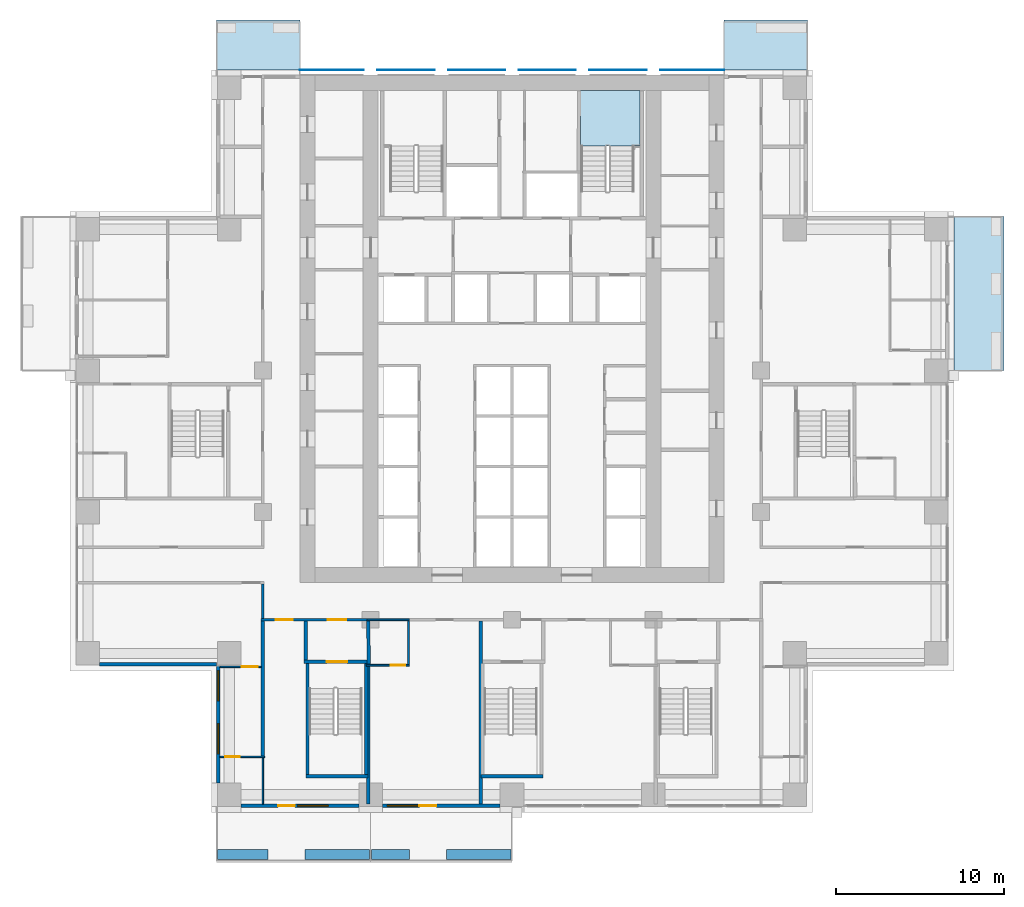
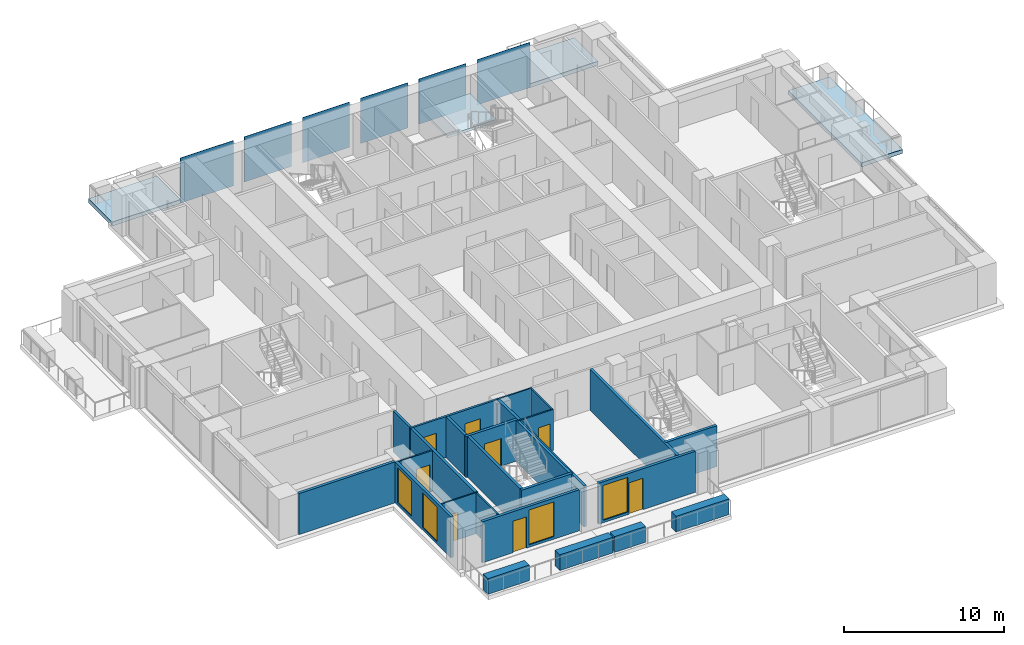
# One storey, part 6 of 16: 26 walls, 8 doors, 6 plates, 4 slabs, 4 windows, 12 openings, 1 element without a shape of its own.
"""IFC4 building model written with IfcOpenShell, lengths in metres."""

from ifc_helpers import new_model, si_unit, direction, frame, frame_2d, origin, origin_2d, place, context, subcontext, project, spatial, polyline, rectangle, outline, extrude, material, layer, layer_set, type_object, element, fill, aggregate, save


model = new_model("IFC4")

# Units and contexts
model_context = context("Model", 3, precision=1e-05, world=origin(), true_north=direction((0.0, 1.0)))
body_context = subcontext(model_context, "Body", "Model", "MODEL_VIEW")
ifc_project = project(units=[si_unit("LENGTHUNIT", "METRE"), si_unit("AREAUNIT", "SQUARE_METRE"), si_unit("VOLUMEUNIT", "CUBIC_METRE"), si_unit("PLANEANGLEUNIT", "RADIAN"), si_unit("MASSUNIT", "GRAM", prefix="KILO")], contexts=[model_context])

# Site, building, storey
site_placement = place(None, origin())
site = spatial("IfcSite", under=ifc_project, at=site_placement, CompositionType="ELEMENT")
building_placement = place(site_placement, origin())
building = spatial("IfcBuilding", under=site, at=building_placement, Name="Vermilion Ogive Tower", CompositionType="ELEMENT")
storey_placement = place(building_placement, frame((0.0, 0.0, 44.85009765625)))
storey = spatial("IfcBuildingStorey", under=building, at=storey_placement, Name="L09", CompositionType="ELEMENT", Elevation=44.85009765625)

# Slabs
ifc_material_1 = material(Name="Concrete B40", Category="concrete")
ifc_layer_1 = layer(ifc_material_1, 0.300048828125)
ifc_layer_set_1 = layer_set([ifc_layer_1], Name="Balcony slab")
slab_type_1 = type_object("IfcSlabType", Name="Balcony slab", PredefinedType="FLOOR", material=ifc_layer_set_1)
slab_1_placement = place(storey_placement, frame((0.0, 0.0, -0.340087890625)))
element("IfcSlab", 1, at=slab_1_placement, inside=storey, type_object=slab_type_1, Name="Balcony slab E03", PredefinedType="FLOOR", context=body_context, shape_type="SweptSolid", body=[
    extrude(outline(polyline([(29.22998046875, 4.199951171875), (29.22998046875, 13.35009765625), (26.25, 13.35009765625), (26.25, 4.199951171875), (29.22998046875, 4.199951171875)])), origin(), (0.0, 0.0, 1.0), 0.300048828125),
])
slab_2_placement = place(storey_placement, frame((0.0, 0.0, -0.340087890625)))
element("IfcSlab", 2, at=slab_2_placement, inside=storey, type_object=slab_type_1, Name="Balcony slab N101", PredefinedType="FLOOR", context=body_context, shape_type="SweptSolid", body=[
    extrude(outline(polyline([(17.550048828125, 25.030029296875), (12.60009765625, 25.030029296875), (12.60009765625, 22.050048828125), (17.550048828125, 22.050048828125), (17.550048828125, 25.030029296875)])), origin(), (0.0, 0.0, 1.0), 0.300048828125),
])
slab_3_placement = place(storey_placement, frame((0.0, 0.0, -0.340087890625)))
element("IfcSlab", 3, at=slab_3_placement, inside=storey, type_object=slab_type_1, Name="Balcony slab N201", PredefinedType="FLOOR", context=body_context, shape_type="SweptSolid", body=[
    extrude(outline(polyline([(-12.60009765625, 25.030029296875), (-17.550048828125, 25.030029296875), (-17.550048828125, 22.050048828125), (-12.60009765625, 22.050048828125), (-12.60009765625, 25.030029296875)])), origin(), (0.0, 0.0, 1.0), 0.300048828125),
])

# Plates
ifc_material_2 = material(Name="Low-iron laminated glazing in aluminium frame", Category="aluminium")
ifc_layer_2 = layer(ifc_material_2, 0.031982421875)
ifc_layer_set_2 = layer_set([ifc_layer_2], Name="Glazed rainscreen sheet 32")
plate_type = type_object("IfcPlateType", Name="Glazed rainscreen sheet 32", PredefinedType="SHEET", material=ifc_layer_set_2)
plate_1_placement = place(storey_placement, frame((-10.7099609375, 22.06591796875, -0.3203125), z_axis=(0.0, 0.0, 1.0), x_axis=(1.0, 0.0, 0.0)))
element("IfcPlate", 4, at=plate_1_placement, inside=storey, type_object=plate_type, Name="Glazed rainscreen sheet N1", PredefinedType="SHEET", context=body_context, shape_type="SweptSolid", body=[
    extrude(rectangle(XDim=3.820068359375, YDim=0.031982421875, at=origin_2d()), origin(), (0.0, 0.0, 1.0), 3.449951171875),
])
for number, where, z_axis, x_axis, name in (
    (5, (-6.300048828125, 22.06591796875, -0.3203125), (0.0, 0.0, 1.0), (1.0, 0.0, 0.0), "Glazed rainscreen sheet N2"),
    (6, (-2.10009765625, 22.06591796875, -0.3203125), (0.0, 0.0, 1.0), (1.0, 0.0, 0.0), "Glazed rainscreen sheet N3"),
    (7, (2.10009765625, 22.06591796875, -0.3203125), (0.0, 0.0, 1.0), (1.0, 0.0, 0.0), "Glazed rainscreen sheet N4"),
    (8, (6.300048828125, 22.06591796875, -0.3203125), (0.0, 0.0, 1.0), (1.0, 0.0, 0.0), "Glazed rainscreen sheet N5"),
):
    element("IfcPlate", number, at=place(storey_placement, frame(where, z_axis=z_axis, x_axis=x_axis)), inside=storey, type_object=plate_type, Name=name, PredefinedType="SHEET", context=body_context, shape_type="SweptSolid", body=[
        extrude(rectangle(XDim=3.39990234375, YDim=0.031982421875, at=origin_2d()), origin(), (0.0, 0.0, 1.0), 3.449951171875),
    ])
plate_2_placement = place(storey_placement, frame((10.7099609375, 22.06591796875, -0.3203125), z_axis=(0.0, 0.0, 1.0), x_axis=(1.0, 0.0, 0.0)))
element("IfcPlate", 9, at=plate_2_placement, inside=storey, type_object=plate_type, Name="Glazed rainscreen sheet N6", PredefinedType="SHEET", context=body_context, shape_type="SweptSolid", body=[
    extrude(rectangle(XDim=3.820068359375, YDim=0.031982421875, at=origin_2d()), origin(), (0.0, 0.0, 1.0), 3.449951171875),
])

# Stair, slab
ifc_material_3 = material(Name="Concrete B40", Category="concrete")
stair_type = type_object("IfcStairType", Name="Exit stair 1500", PredefinedType="HALF_TURN_STAIR", material=ifc_material_3)
stair_placement = place(storey_placement, origin())
stair = element("IfcStair", 10, at=stair_placement, inside=storey, type_object=stair_type, Name="L09 Exit Stair ST2", PredefinedType="HALF_TURN_STAIR")
ifc_material_4 = material(Name="Concrete B40", Category="concrete")
ifc_layer_3 = layer(ifc_material_4, 0.199951171875)
ifc_layer_set_3 = layer_set([ifc_layer_3], Name="Stair landing 200")
slab_type_2 = type_object("IfcSlabType", Name="Stair landing 200", PredefinedType="LANDING", material=ifc_layer_set_3)
slab_4_placement = place(storey_placement, frame((0.0, 0.0, 1.52490234375)))
slab_4 = element("IfcSlab", 11, at=slab_4_placement, type_object=slab_type_2, Name="ST2 landing 1", PredefinedType="LANDING", context=body_context, shape_type="SweptSolid", body=[
    extrude(outline(polyline([(5.60009765625, 17.550048828125), (5.75, 17.550048828125), (5.75, 17.548095703125), (7.25, 17.548095703125), (7.25, 17.550048828125), (7.60009765625, 17.550048828125), (7.60009765625, 20.85009765625), (4.074951171875, 20.85009765625), (4.074951171875, 17.550048828125), (4.10009765625, 17.550048828125), (4.10009765625, 17.548095703125), (5.60009765625, 17.548095703125), (5.60009765625, 17.550048828125)])), origin(), (0.0, 0.0, 1.0), 0.199951171875),
])
aggregate(stair, [slab_4])

# Wall, opening, door
ifc_material_5 = material(Name="Gypsum board partition on steel studs", Category="steel")
ifc_layer_4 = layer(ifc_material_5, 0.10009765625)
ifc_layer_set_4 = layer_set([ifc_layer_4], Name="Partition 100 bath")
wall_type_1 = type_object("IfcWallType", Name="Partition 100 bath", PredefinedType="PARTITIONING", material=ifc_layer_set_4)
wall_1_placement = place(storey_placement, frame((-17.35009765625, -18.75, 0.0), z_axis=(0.0, 0.0, 1.0), x_axis=(1.0, 0.0, 0.0)))
wall_1 = element("IfcWall", 12, at=wall_1_placement, inside=storey, type_object=wall_type_1, Name="L09-W-W004", PredefinedType="PARTITIONING", context=body_context, shape_type="SweptSolid", body=[
    extrude(rectangle(XDim=2.650146484375, YDim=0.10009765625, at=frame_2d((1.3251953125, 0.0))), origin(), (0.0, 0.0, 1.0), 3.1298828125),
])
opening_1_placement = place(wall_1_placement, frame((0.3251953125, 0.0, 0.0)))
opening_1 = element("IfcOpeningElement", 13, at=opening_1_placement, cuts=wall_1, Name="Opening D1G2003", PredefinedType="OPENING", context=body_context, shape_type="SweptSolid", body=[
    extrude(rectangle(XDim=0.85009765625, YDim=2.10009765625, at=frame_2d((0.425048828125, 1.050048828125))), frame((0.0, 0.06005859375, 0.0), z_axis=(0.0, -1.0, 0.0), x_axis=(1.0, 0.0, 0.0)), (0.0, 0.0, 1.0), 0.1201171875),
])
ifc_material_6 = material(Name="Timber door leaf", Category="wood")
door_type_1 = type_object("IfcDoorType", Name="Bath door 850 x 2100 FD30", OperationType="SINGLE_SWING_LEFT", PredefinedType="DOOR", material=ifc_material_6)
door_1_placement = place(opening_1_placement, origin())
door_1 = element("IfcDoor", 14, at=door_1_placement, inside=storey, type_object=door_type_1, Name="L09-D-D003", OperationType="SINGLE_SWING_RIGHT", OverallHeight=2.10009765625, OverallWidth=0.85009765625, PredefinedType="DOOR", context=body_context, shape_type="SweptSolid", body=[
    extrude(rectangle(XDim=0.85009765625, YDim=2.10009765625, at=frame_2d((0.425048828125, 1.050048828125))), frame((0.0, 0.02490234375, 0.0), z_axis=(0.0, -1.0, 0.0), x_axis=(1.0, 0.0, 0.0)), (0.0, 0.0, 1.0), 0.050048828125),
])
fill(opening_1, door_1)

wall_2_placement = place(storey_placement, frame((-8.64990234375, -13.300048828125, 0.0), z_axis=(0.0, 0.0, 1.0), x_axis=(1.0, 0.0, 0.0)))
wall_2 = element("IfcWall", 15, at=wall_2_placement, inside=storey, type_object=wall_type_1, Name="L09-W-W008", PredefinedType="PARTITIONING", context=body_context, shape_type="SweptSolid", body=[
    extrude(rectangle(XDim=2.5498046875, YDim=0.10009765625, at=frame_2d((1.27490234375, 0.0))), origin(), (0.0, 0.0, 1.0), 3.1298828125),
])
opening_2_placement = place(wall_2_placement, frame((1.449951171875, 0.0, 0.0)))
opening_2 = element("IfcOpeningElement", 16, at=opening_2_placement, cuts=wall_2, Name="Opening D1G2012", PredefinedType="OPENING", context=body_context, shape_type="SweptSolid", body=[
    extrude(rectangle(XDim=0.85009765625, YDim=2.10009765625, at=frame_2d((0.425048828125, 1.050048828125))), frame((0.0, 0.06005859375, 0.0), z_axis=(0.0, -1.0, 0.0), x_axis=(1.0, 0.0, 0.0)), (0.0, 0.0, 1.0), 0.1201171875),
])
door_2_placement = place(opening_2_placement, origin())
door_2 = element("IfcDoor", 17, at=door_2_placement, inside=storey, type_object=door_type_1, Name="L09-D-D012", OperationType="SINGLE_SWING_LEFT", OverallHeight=2.10009765625, OverallWidth=0.85009765625, PredefinedType="DOOR", context=body_context, shape_type="SweptSolid", body=[
    extrude(rectangle(XDim=0.85009765625, YDim=2.10009765625, at=frame_2d((0.425048828125, 1.050048828125))), frame((0.0, 0.02490234375, 0.0), z_axis=(0.0, -1.0, 0.0), x_axis=(1.0, 0.0, 0.0)), (0.0, 0.0, 1.0), 0.050048828125),
])
fill(opening_2, door_2)

# Walls
wall_3_placement = place(storey_placement, frame((-8.60009765625, -10.60009765625, 0.0), z_axis=(0.0, 0.0, 1.0), x_axis=(1.0, 0.0, 0.0)))
element("IfcWall", 18, at=wall_3_placement, inside=storey, type_object=wall_type_1, Name="L09-W-W014", PredefinedType="PARTITIONING", context=body_context, shape_type="SweptSolid", body=[
    extrude(rectangle(XDim=2.5, YDim=0.10009765625, at=frame_2d((1.25, 0.0))), origin(), (0.0, 0.0, 1.0), 3.1298828125),
])
wall_4_placement = place(storey_placement, frame((-14.800048828125, -21.550048828125, 0.0), z_axis=(0.0, 0.0, 1.0), x_axis=(0.0, 1.0, 0.0)))
element("IfcWall", 19, at=wall_4_placement, inside=storey, type_object=wall_type_1, Name="L09-W-W045", PredefinedType="PARTITIONING", context=body_context, shape_type="SweptSolid", body=[
    extrude(rectangle(XDim=2.75, YDim=0.10009765625, at=frame_2d((1.375, 0.0))), origin(), (0.0, 0.0, 1.0), 3.1298828125),
])
wall_5_placement = place(storey_placement, frame((-6.14990234375, -13.25, 0.0), z_axis=(0.0, 0.0, 1.0), x_axis=(0.0, 1.0, 0.0)))
element("IfcWall", 20, at=wall_5_placement, inside=storey, type_object=wall_type_1, Name="L09-W-W054", PredefinedType="PARTITIONING", context=body_context, shape_type="SweptSolid", body=[
    extrude(rectangle(XDim=2.574951171875, YDim=0.10009765625, at=frame_2d((1.28759765625, 0.0))), origin(), (0.0, 0.0, 1.0), 3.1298828125),
])

# Wall, opening, door
ifc_material_7 = material(Name="Gypsum board partition on steel studs", Category="steel")
ifc_layer_5 = layer(ifc_material_7, 0.10009765625)
ifc_layer_set_5 = layer_set([ifc_layer_5], Name="Partition 100 inner")
wall_type_2 = type_object("IfcWallType", Name="Partition 100 inner", PredefinedType="PARTITIONING", material=ifc_layer_set_5)
wall_6_placement = place(storey_placement, frame((-17.35009765625, -13.39990234375, 0.0), z_axis=(0.0, 0.0, 1.0), x_axis=(1.0, 0.0, 0.0)))
wall_6 = element("IfcWall", 21, at=wall_6_placement, inside=storey, type_object=wall_type_2, Name="L09-W-W006", PredefinedType="PARTITIONING", context=body_context, shape_type="SweptSolid", body=[
    extrude(rectangle(XDim=2.4501953125, YDim=0.10009765625, at=frame_2d((1.22509765625, 0.0))), origin(), (0.0, 0.0, 1.0), 3.1298828125),
])
opening_3_placement = place(wall_6_placement, frame((1.300048828125, 0.0, 0.0)))
opening_3 = element("IfcOpeningElement", 22, at=opening_3_placement, cuts=wall_6, Name="Opening D1G2002", PredefinedType="OPENING", context=body_context, shape_type="SweptSolid", body=[
    extrude(rectangle(XDim=0.949951171875, YDim=2.10009765625, at=frame_2d((0.47509765625, 1.050048828125))), frame((0.0, 0.06005859375, 0.0), z_axis=(0.0, -1.0, 0.0), x_axis=(1.0, 0.0, 0.0)), (0.0, 0.0, 1.0), 0.1201171875),
])
ifc_material_8 = material(Name="Timber door leaf", Category="wood")
door_type_2 = type_object("IfcDoorType", Name="Inner door 950 x 2100 FD30", OperationType="SINGLE_SWING_LEFT", PredefinedType="DOOR", material=ifc_material_8)
door_3_placement = place(opening_3_placement, origin())
door_3 = element("IfcDoor", 23, at=door_3_placement, inside=storey, type_object=door_type_2, Name="L09-D-D002", OperationType="SINGLE_SWING_RIGHT", OverallHeight=2.10009765625, OverallWidth=0.949951171875, PredefinedType="DOOR", context=body_context, shape_type="SweptSolid", body=[
    extrude(rectangle(XDim=0.949951171875, YDim=2.10009765625, at=frame_2d((0.47509765625, 1.050048828125))), frame((0.0, 0.02490234375, 0.0), z_axis=(0.0, -1.0, 0.0), x_axis=(1.0, 0.0, 0.0)), (0.0, 0.0, 1.0), 0.050048828125),
])
fill(opening_3, door_3)

# Wall, openings, doors
ifc_material_9 = material(Name="Gypsum board partition on steel studs", Category="steel")
ifc_layer_6 = layer(ifc_material_9, 0.14990234375)
ifc_layer_set_6 = layer_set([ifc_layer_6], Name="Partition 150 corridor")
wall_type_3 = type_object("IfcWallType", Name="Partition 150 corridor", PredefinedType="PARTITIONING", material=ifc_layer_set_6)
wall_7_placement = place(storey_placement, frame((-14.89990234375, -10.60009765625, 0.0), z_axis=(0.0, 0.0, 1.0), x_axis=(1.0, 0.0, 0.0)))
wall_7 = element("IfcWall", 24, at=wall_7_placement, inside=storey, type_object=wall_type_3, Name="L09-W-W013", PredefinedType="PARTITIONING", context=body_context, shape_type="SweptSolid", body=[
    extrude(rectangle(XDim=6.39990234375, YDim=0.14990234375, at=frame_2d((3.199951171875, 0.0))), origin(), (0.0, 0.0, 1.0), 3.1298828125),
])
opening_4_placement = place(wall_7_placement, frame((3.949951171875, 0.0, 0.0)))
opening_4 = element("IfcOpeningElement", 25, at=opening_4_placement, cuts=wall_7, Name="Opening D1G2025", PredefinedType="OPENING", context=body_context, shape_type="SweptSolid", body=[
    extrude(rectangle(XDim=1.10009765625, YDim=2.10009765625, at=frame_2d((0.550048828125, 1.050048828125))), frame((0.0, 0.0849609375, 0.0), z_axis=(0.0, -1.0, 0.0), x_axis=(1.0, 0.0, 0.0)), (0.0, 0.0, 1.0), 0.169921875),
])
opening_5_placement = place(wall_7_placement, frame((0.875, 0.0, 0.0)))
opening_5 = element("IfcOpeningElement", 26, at=opening_5_placement, cuts=wall_7, Name="Opening D1G2035", PredefinedType="OPENING", context=body_context, shape_type="SweptSolid", body=[
    extrude(rectangle(XDim=1.0, YDim=2.10009765625, at=frame_2d((0.5, 1.050048828125))), frame((0.0, 0.0849609375, 0.0), z_axis=(0.0, -1.0, 0.0), x_axis=(1.0, 0.0, 0.0)), (0.0, 0.0, 1.0), 0.169921875),
])
ifc_material_10 = material(Name="Timber door leaf", Category="wood")
door_type_3 = type_object("IfcDoorType", Name="Stair door 1100 x 2100 FD60S", OperationType="SINGLE_SWING_LEFT", PredefinedType="DOOR", material=ifc_material_10)
door_4_placement = place(opening_4_placement, origin())
door_4 = element("IfcDoor", 27, at=door_4_placement, inside=storey, type_object=door_type_3, Name="L09-D-D025", OperationType="SINGLE_SWING_RIGHT", OverallHeight=2.10009765625, OverallWidth=1.10009765625, PredefinedType="DOOR", context=body_context, shape_type="SweptSolid", body=[
    extrude(rectangle(XDim=1.10009765625, YDim=2.10009765625, at=frame_2d((0.550048828125, 1.050048828125))), frame((0.0, 0.02490234375, 0.0), z_axis=(0.0, -1.0, 0.0), x_axis=(1.0, 0.0, 0.0)), (0.0, 0.0, 1.0), 0.050048828125),
])
fill(opening_4, door_4)
ifc_material_11 = material(Name="Timber door leaf", Category="wood")
door_type_4 = type_object("IfcDoorType", Name="Unit door 1000 x 2100 FD30S", OperationType="SINGLE_SWING_LEFT", PredefinedType="DOOR", material=ifc_material_11)
door_5_placement = place(opening_5_placement, origin())
door_5 = element("IfcDoor", 28, at=door_5_placement, inside=storey, type_object=door_type_4, Name="L09-D-D035", OperationType="SINGLE_SWING_RIGHT", OverallHeight=2.10009765625, OverallWidth=1.0, PredefinedType="DOOR", context=body_context, shape_type="SweptSolid", body=[
    extrude(rectangle(XDim=1.0, YDim=2.10009765625, at=frame_2d((0.5, 1.050048828125))), frame((0.0, 0.02490234375, 0.0), z_axis=(0.0, -1.0, 0.0), x_axis=(1.0, 0.0, 0.0)), (0.0, 0.0, 1.0), 0.050048828125),
])
fill(opening_5, door_5)

# Walls
wall_8_placement = place(storey_placement, frame((-14.800048828125, -10.52490234375, 0.0), z_axis=(0.0, 0.0, 1.0), x_axis=(0.0, 1.0, 0.0)))
element("IfcWall", 29, at=wall_8_placement, inside=storey, type_object=wall_type_3, Name="L09-W-W047", PredefinedType="PARTITIONING", context=body_context, shape_type="SweptSolid", body=[
    extrude(rectangle(XDim=2.0498046875, YDim=0.14990234375, at=frame_2d((1.02490234375, 0.0))), origin(), (0.0, 0.0, 1.0), 3.1298828125),
])
ifc_material_12 = material(Name="Gypsum board partition on steel studs", Category="steel")
ifc_layer_7 = layer(ifc_material_12, 0.199951171875)
ifc_layer_set_7 = layer_set([ifc_layer_7], Name="Partition 200 party")
wall_type_4 = type_object("IfcWallType", Name="Partition 200 party", PredefinedType="PARTITIONING", material=ifc_layer_set_7)
wall_9_placement = place(storey_placement, frame((-14.800048828125, -18.699951171875, 0.0), z_axis=(0.0, 0.0, 1.0), x_axis=(0.0, 1.0, 0.0)))
element("IfcWall", 30, at=wall_9_placement, inside=storey, type_object=wall_type_4, Name="L09-W-W046", PredefinedType="PARTITIONING", context=body_context, shape_type="SweptSolid", body=[
    extrude(rectangle(XDim=8.02490234375, YDim=0.199951171875, at=frame_2d((4.012451171875, 0.0))), origin(), (0.0, 0.0, 1.0), 3.1298828125),
])
ifc_material_13 = material(Name="Concrete B60", Category="concrete")
ifc_layer_8 = layer(ifc_material_13, 0.199951171875)
ifc_layer_set_8 = layer_set([ifc_layer_8], Name="Stair shaft wall 200 Concrete B60")
wall_type_5 = type_object("IfcWallType", Name="Stair shaft wall 200 Concrete B60", PredefinedType="SOLIDWALL", material=ifc_layer_set_8)
wall_10_placement = place(storey_placement, frame((-12.248046875, -19.89990234375, 0.0), z_axis=(0.0, 0.0, 1.0), x_axis=(1.0, 0.0, 0.0)))
element("IfcWall", 31, at=wall_10_placement, inside=storey, type_object=wall_type_5, Name="L09-W-W001", PredefinedType="SOLIDWALL", context=body_context, shape_type="SweptSolid", body=[
    extrude(rectangle(XDim=3.696044921875, YDim=0.199951171875, at=frame_2d((1.84814453125, 0.0))), origin(), (0.0, 0.0, 1.0), 3.1298828125),
])
wall_11_placement = place(storey_placement, frame((-1.847900390625, -19.89990234375, 0.0), z_axis=(0.0, 0.0, 1.0), x_axis=(1.0, 0.0, 0.0)))
element("IfcWall", 32, at=wall_11_placement, inside=storey, type_object=wall_type_5, Name="L09-W-W002", PredefinedType="SOLIDWALL", context=body_context, shape_type="SweptSolid", body=[
    extrude(rectangle(XDim=3.69580078125, YDim=0.199951171875, at=frame_2d((1.847900390625, 0.0))), origin(), (0.0, 0.0, 1.0), 3.1298828125),
])

# Wall, opening, door
wall_12_placement = place(storey_placement, frame((-12.347900390625, -13.10009765625, 0.0), z_axis=(0.0, 0.0, 1.0), x_axis=(1.0, 0.0, 0.0)))
wall_12 = element("IfcWall", 33, at=wall_12_placement, inside=storey, type_object=wall_type_5, Name="L09-W-W010", PredefinedType="SOLIDWALL", context=body_context, shape_type="SweptSolid", body=[
    extrude(rectangle(XDim=3.745849609375, YDim=0.199951171875, at=frame_2d((1.873046875, 0.0))), origin(), (0.0, 0.0, 1.0), 3.1298828125),
])
opening_6_placement = place(wall_12_placement, frame((1.347900390625, 0.0, 0.0)))
opening_6 = element("IfcOpeningElement", 34, at=opening_6_placement, cuts=wall_12, Name="Opening D1G2026", PredefinedType="OPENING", context=body_context, shape_type="SweptSolid", body=[
    extrude(rectangle(XDim=1.199951171875, YDim=2.10009765625, at=frame_2d((0.60009765625, 1.050048828125))), frame((0.0, 0.10986328125, 0.0), z_axis=(0.0, -1.0, 0.0), x_axis=(1.0, 0.0, 0.0)), (0.0, 0.0, 1.0), 0.219970703125),
])
ifc_material_14 = material(Name="Timber door leaf", Category="wood")
door_type_5 = type_object("IfcDoorType", Name="Stair door 1200 x 2100 FD60S", OperationType="SINGLE_SWING_LEFT", PredefinedType="DOOR", material=ifc_material_14)
door_6_placement = place(opening_6_placement, origin())
door_6 = element("IfcDoor", 35, at=door_6_placement, inside=storey, type_object=door_type_5, Name="L09-D-D026", OperationType="SINGLE_SWING_RIGHT", OverallHeight=2.10009765625, OverallWidth=1.199951171875, PredefinedType="DOOR", context=body_context, shape_type="SweptSolid", body=[
    extrude(rectangle(XDim=1.199951171875, YDim=2.10009765625, at=frame_2d((0.60009765625, 1.050048828125))), frame((0.0, 0.02490234375, 0.0), z_axis=(0.0, -1.0, 0.0), x_axis=(1.0, 0.0, 0.0)), (0.0, 0.0, 1.0), 0.050048828125),
])
fill(opening_6, door_6)

# Walls
wall_13_placement = place(storey_placement, frame((-12.25, -12.998046875, 0.0), z_axis=(0.0, 0.0, 1.0), x_axis=(0.0, 1.0, 0.0)))
element("IfcWall", 36, at=wall_13_placement, inside=storey, type_object=wall_type_5, Name="L09-W-W049", PredefinedType="SOLIDWALL", context=body_context, shape_type="SweptSolid", body=[
    extrude(rectangle(XDim=2.322998046875, YDim=0.199951171875, at=frame_2d((1.16162109375, 0.0))), origin(), (0.0, 0.0, 1.0), 3.1298828125),
])
for number, where, z_axis, x_axis, name in (
    (37, (-12.14990234375, -19.798095703125, 0.0), (0.0, 0.0, 1.0), (0.0, 1.0, 0.0), "L09-W-W050"),
    (38, (-8.64990234375, -19.798095703125, 0.0), (0.0, 0.0, 1.0), (0.0, 1.0, 0.0), "L09-W-W051"),
):
    element("IfcWall", number, at=place(storey_placement, frame(where, z_axis=z_axis, x_axis=x_axis)), inside=storey, type_object=wall_type_5, Name=name, PredefinedType="SOLIDWALL", context=body_context, shape_type="SweptSolid", body=[
        extrude(rectangle(XDim=6.59619140625, YDim=0.199951171875, at=frame_2d((3.298095703125, 0.0))), origin(), (0.0, 0.0, 1.0), 3.1298828125),
    ])
wall_14_placement = place(storey_placement, frame((-8.5, -13.25, 0.0), z_axis=(0.0, 0.0, 1.0), x_axis=(-0.019062755699, 0.999818289163, 0.0)))
element("IfcWall", 39, at=wall_14_placement, inside=storey, type_object=wall_type_5, Name="L09-W-W053", PredefinedType="SOLIDWALL", context=body_context, shape_type="SweptSolid", body=[
    extrude(rectangle(XDim=2.62548828125, YDim=0.199951171875, at=frame_2d((1.312744140625, 0.0))), origin(), (0.0, 0.0, 1.0), 3.1298828125),
])
wall_15_placement = place(storey_placement, frame((-1.85009765625, -21.550048828125, 0.0), z_axis=(0.0, 0.0, 1.0), x_axis=(0.0, 1.0, 0.0)))
element("IfcWall", 40, at=wall_15_placement, inside=storey, type_object=wall_type_5, Name="L09-W-W055-A-A", PredefinedType="SOLIDWALL", context=body_context, shape_type="SweptSolid", body=[
    extrude(rectangle(XDim=10.875, YDim=0.199951171875, at=frame_2d((5.4375, 0.0))), origin(), (0.0, 0.0, 1.0), 3.1298828125),
])
wall_16_placement = place(storey_placement, frame((-8.550048828125, -21.550048828125, 0.0), z_axis=(0.0, 0.0, 1.0), x_axis=(0.0, 1.0, 0.0)))
element("IfcWall", 41, at=wall_16_placement, inside=storey, type_object=wall_type_5, Name="L09-W-W052-A", PredefinedType="SOLIDWALL", context=body_context, shape_type="SweptSolid", body=[
    extrude(rectangle(XDim=8.199951171875, YDim=0.199951171875, at=frame_2d((4.10009765625, 0.0))), origin(), (0.0, 0.0, 1.0), 3.1298828125),
])
ifc_material_15 = material(Name="Concrete B40", Category="concrete")
ifc_layer_9 = layer(ifc_material_15, 0.60009765625)
ifc_layer_set_9 = layer_set([ifc_layer_9], Name="Structural planter")
wall_type_6 = type_object("IfcWallType", Name="Structural planter", PredefinedType="USERDEFINED", material=ifc_layer_set_9)
wall_17_placement = place(storey_placement, frame((-17.489990234375, -24.550048828125, -0.0400390625), z_axis=(0.0, 0.0, 1.0), x_axis=(1.0, 0.0, 0.0)))
element("IfcWall", 42, at=wall_17_placement, inside=storey, type_object=wall_type_6, Name="Planter S01A1", ObjectType="PLANTER", PredefinedType="USERDEFINED", context=body_context, shape_type="SweptSolid", body=[
    extrude(rectangle(XDim=2.989990234375, YDim=0.60009765625, at=frame_2d((1.4951171875, 0.0))), origin(), (0.0, 0.0, 1.0), 1.199951171875),
])
wall_18_placement = place(storey_placement, frame((-12.300048828125, -24.550048828125, -0.0400390625), z_axis=(0.0, 0.0, 1.0), x_axis=(1.0, 0.0, 0.0)))
element("IfcWall", 43, at=wall_18_placement, inside=storey, type_object=wall_type_6, Name="Planter S01A2", ObjectType="PLANTER", PredefinedType="USERDEFINED", context=body_context, shape_type="SweptSolid", body=[
    extrude(rectangle(XDim=3.840087890625, YDim=0.60009765625, at=frame_2d((1.919921875, 0.0))), origin(), (0.0, 0.0, 1.0), 1.199951171875),
])
wall_19_placement = place(storey_placement, frame((-8.340087890625, -24.550048828125, -0.0400390625), z_axis=(0.0, 0.0, 1.0), x_axis=(1.0, 0.0, 0.0)))
element("IfcWall", 44, at=wall_19_placement, inside=storey, type_object=wall_type_6, Name="Planter S02A1", ObjectType="PLANTER", PredefinedType="USERDEFINED", context=body_context, shape_type="SweptSolid", body=[
    extrude(rectangle(XDim=2.239990234375, YDim=0.60009765625, at=frame_2d((1.1201171875, 0.0))), origin(), (0.0, 0.0, 1.0), 1.199951171875),
])
wall_20_placement = place(storey_placement, frame((-3.89990234375, -24.550048828125, -0.0400390625), z_axis=(0.0, 0.0, 1.0), x_axis=(1.0, 0.0, 0.0)))
element("IfcWall", 45, at=wall_20_placement, inside=storey, type_object=wall_type_6, Name="Planter S02A2", ObjectType="PLANTER", PredefinedType="USERDEFINED", context=body_context, shape_type="SweptSolid", body=[
    extrude(rectangle(XDim=3.83984375, YDim=0.60009765625, at=frame_2d((1.919921875, 0.0))), origin(), (0.0, 0.0, 1.0), 1.199951171875),
])

# Wall, openings, door, window
ifc_material_16 = material(Name="Aluminium window wall framing", Category="aluminium")
ifc_layer_10 = layer(ifc_material_16, 0.199951171875)
ifc_layer_set_10 = layer_set([ifc_layer_10], Name="Window wall")
wall_type_7 = type_object("IfcWallType", Name="Window wall", PredefinedType="STANDARD", material=ifc_layer_set_10)
wall_21_placement = place(storey_placement, frame((-16.10009765625, -21.64990234375, 0.0), z_axis=(0.0, 0.0, 1.0), x_axis=(1.0, 0.0, 0.0)))
wall_21 = element("IfcWall", 46, at=wall_21_placement, inside=storey, type_object=wall_type_7, Name="Window wall S1", PredefinedType="STANDARD", context=body_context, shape_type="SweptSolid", body=[
    extrude(rectangle(XDim=7.0, YDim=0.199951171875, at=frame_2d((3.5, 0.0))), origin(), (0.0, 0.0, 1.0), 3.1298828125),
])
opening_7_placement = place(wall_21_placement, frame((3.3701171875, 0.0, 0.199951171875)))
opening_7 = element("IfcOpeningElement", 47, at=opening_7_placement, cuts=wall_21, Name="Opening W1-S96", PredefinedType="OPENING", context=body_context, shape_type="SweptSolid", body=[
    extrude(rectangle(XDim=1.800048828125, YDim=2.64990234375, at=frame_2d((0.89990234375, 1.324951171875))), frame((0.0, 0.10986328125, 0.0), z_axis=(0.0, -1.0, 0.0), x_axis=(1.0, 0.0, 0.0)), (0.0, 0.0, 1.0), 0.219970703125),
])
opening_8_placement = place(wall_21_placement, frame((2.199951171875, 0.0, 0.0)))
opening_8 = element("IfcOpeningElement", 48, at=opening_8_placement, cuts=wall_21, Name="Opening D1-S96", PredefinedType="OPENING", context=body_context, shape_type="SweptSolid", body=[
    extrude(rectangle(XDim=1.0, YDim=2.39990234375, at=frame_2d((0.5, 1.199951171875))), frame((0.0, 0.10986328125, 0.0), z_axis=(0.0, -1.0, 0.0), x_axis=(1.0, 0.0, 0.0)), (0.0, 0.0, 1.0), 0.219970703125),
])
ifc_material_17 = material(Name="Aluminium framed glazed door", Category="aluminium")
door_type_6 = type_object("IfcDoorType", Name="Balcony door D1", OperationType="SINGLE_SWING_LEFT", PredefinedType="DOOR", material=ifc_material_17)
door_7_placement = place(opening_8_placement, origin())
door_7 = element("IfcDoor", 49, at=door_7_placement, inside=storey, type_object=door_type_6, Name="Balcony door S96", OperationType="SINGLE_SWING_LEFT", OverallHeight=2.39990234375, OverallWidth=1.0, PredefinedType="DOOR", context=body_context, shape_type="SweptSolid", body=[
    extrude(rectangle(XDim=1.0, YDim=2.39990234375, at=frame_2d((0.5, 1.199951171875))), frame((0.0, 0.02490234375, 0.0), z_axis=(0.0, -1.0, 0.0), x_axis=(1.0, 0.0, 0.0)), (0.0, 0.0, 1.0), 0.050048828125),
])
fill(opening_8, door_7)
ifc_material_18 = material(Name="Aluminium framed double glazing", Category="aluminium")
window_type = type_object("IfcWindowType", Name="Guest window W1", PartitioningType="SINGLE_PANEL", PredefinedType="WINDOW", material=ifc_material_18)
window_1_placement = place(opening_7_placement, origin())
window_1 = element("IfcWindow", 50, at=window_1_placement, inside=storey, type_object=window_type, Name="Window S96", OverallHeight=2.64990234375, OverallWidth=1.800048828125, PartitioningType="SINGLE_PANEL", PredefinedType="WINDOW", context=body_context, shape_type="SweptSolid", body=[
    extrude(rectangle(XDim=1.800048828125, YDim=2.64990234375, at=frame_2d((0.89990234375, 1.324951171875))), frame((0.0, 0.030029296875, 0.0), z_axis=(0.0, -1.0, 0.0), x_axis=(1.0, 0.0, 0.0)), (0.0, 0.0, 1.0), 0.06005859375),
])
fill(opening_7, window_1)

wall_22_placement = place(storey_placement, frame((-7.699951171875, -21.64990234375, 0.0), z_axis=(0.0, 0.0, 1.0), x_axis=(1.0, 0.0, 0.0)))
wall_22 = element("IfcWall", 51, at=wall_22_placement, inside=storey, type_object=wall_type_7, Name="Window wall S2", PredefinedType="STANDARD", context=body_context, shape_type="SweptSolid", body=[
    extrude(rectangle(XDim=7.0, YDim=0.199951171875, at=frame_2d((3.5, 0.0))), origin(), (0.0, 0.0, 1.0), 3.1298828125),
])
opening_9_placement = place(wall_22_placement, frame((0.300048828125, 0.0, 0.199951171875)))
opening_9 = element("IfcOpeningElement", 52, at=opening_9_placement, cuts=wall_22, Name="Opening W1-S98", PredefinedType="OPENING", context=body_context, shape_type="SweptSolid", body=[
    extrude(rectangle(XDim=1.800048828125, YDim=2.64990234375, at=frame_2d((0.89990234375, 1.324951171875))), frame((0.0, 0.10986328125, 0.0), z_axis=(0.0, -1.0, 0.0), x_axis=(1.0, 0.0, 0.0)), (0.0, 0.0, 1.0), 0.219970703125),
])
opening_10_placement = place(wall_22_placement, frame((2.199951171875, 0.0, 0.0)))
opening_10 = element("IfcOpeningElement", 53, at=opening_10_placement, cuts=wall_22, Name="Opening D1-S98", PredefinedType="OPENING", context=body_context, shape_type="SweptSolid", body=[
    extrude(rectangle(XDim=1.0, YDim=2.39990234375, at=frame_2d((0.5, 1.199951171875))), frame((0.0, 0.10986328125, 0.0), z_axis=(0.0, -1.0, 0.0), x_axis=(1.0, 0.0, 0.0)), (0.0, 0.0, 1.0), 0.219970703125),
])
door_8_placement = place(opening_10_placement, origin())
door_8 = element("IfcDoor", 54, at=door_8_placement, inside=storey, type_object=door_type_6, Name="Balcony door S98", OperationType="SINGLE_SWING_LEFT", OverallHeight=2.39990234375, OverallWidth=1.0, PredefinedType="DOOR", context=body_context, shape_type="SweptSolid", body=[
    extrude(rectangle(XDim=1.0, YDim=2.39990234375, at=frame_2d((0.5, 1.199951171875))), frame((0.0, 0.02490234375, 0.0), z_axis=(0.0, -1.0, 0.0), x_axis=(1.0, 0.0, 0.0)), (0.0, 0.0, 1.0), 0.050048828125),
])
fill(opening_10, door_8)
window_2_placement = place(opening_9_placement, origin())
window_2 = element("IfcWindow", 55, at=window_2_placement, inside=storey, type_object=window_type, Name="Window S98", OverallHeight=2.64990234375, OverallWidth=1.800048828125, PartitioningType="SINGLE_PANEL", PredefinedType="WINDOW", context=body_context, shape_type="SweptSolid", body=[
    extrude(rectangle(XDim=1.800048828125, YDim=2.64990234375, at=frame_2d((0.89990234375, 1.324951171875))), frame((0.0, 0.030029296875, 0.0), z_axis=(0.0, -1.0, 0.0), x_axis=(1.0, 0.0, 0.0)), (0.0, 0.0, 1.0), 0.06005859375),
])
fill(opening_9, window_2)

# Wall
wall_23_placement = place(storey_placement, frame((-24.5, -13.25, 0.0), z_axis=(0.0, 0.0, 1.0), x_axis=(1.0, 0.0, 0.0)))
element("IfcWall", 56, at=wall_23_placement, inside=storey, type_object=wall_type_7, Name="Window wall X71", PredefinedType="STANDARD", context=body_context, shape_type="SweptSolid", body=[
    extrude(rectangle(XDim=6.949951171875, YDim=0.199951171875, at=frame_2d((3.47509765625, 0.0))), origin(), (0.0, 0.0, 1.0), 3.1298828125),
])

# Wall, openings, windows
wall_24_placement = place(storey_placement, frame((-17.449951171875, -13.35009765625, 0.0), z_axis=(0.0, 0.0, 1.0), x_axis=(0.0, -1.0, 0.0)))
wall_24 = element("IfcWall", 57, at=wall_24_placement, inside=storey, type_object=wall_type_7, Name="Window wall X81", PredefinedType="STANDARD", context=body_context, shape_type="SweptSolid", body=[
    extrude(rectangle(XDim=6.949951171875, YDim=0.199951171875, at=frame_2d((3.47509765625, 0.0))), origin(), (0.0, 0.0, 1.0), 3.1298828125),
])
opening_11_placement = place(wall_24_placement, frame((3.419921875, 0.0, 0.199951171875)))
opening_11 = element("IfcOpeningElement", 58, at=opening_11_placement, cuts=wall_24, Name="Opening W1-X895", PredefinedType="OPENING", context=body_context, shape_type="SweptSolid", body=[
    extrude(rectangle(XDim=1.800048828125, YDim=2.64990234375, at=frame_2d((0.89990234375, 1.324951171875))), frame((0.0, 0.10986328125, 0.0), z_axis=(0.0, -1.0, 0.0), x_axis=(1.0, 0.0, 0.0)), (0.0, 0.0, 1.0), 0.219970703125),
])
opening_12_placement = place(wall_24_placement, frame((0.27490234375, 0.0, 0.199951171875)))
opening_12 = element("IfcOpeningElement", 59, at=opening_12_placement, cuts=wall_24, Name="Opening W1-X896", PredefinedType="OPENING", context=body_context, shape_type="SweptSolid", body=[
    extrude(rectangle(XDim=1.800048828125, YDim=2.64990234375, at=frame_2d((0.89990234375, 1.324951171875))), frame((0.0, 0.10986328125, 0.0), z_axis=(0.0, -1.0, 0.0), x_axis=(1.0, 0.0, 0.0)), (0.0, 0.0, 1.0), 0.219970703125),
])
window_3_placement = place(opening_11_placement, origin())
window_3 = element("IfcWindow", 60, at=window_3_placement, inside=storey, type_object=window_type, Name="Window X895", OverallHeight=2.64990234375, OverallWidth=1.800048828125, PartitioningType="SINGLE_PANEL", PredefinedType="WINDOW", context=body_context, shape_type="SweptSolid", body=[
    extrude(rectangle(XDim=1.800048828125, YDim=2.64990234375, at=frame_2d((0.89990234375, 1.324951171875))), frame((0.0, 0.030029296875, 0.0), z_axis=(0.0, -1.0, 0.0), x_axis=(1.0, 0.0, 0.0)), (0.0, 0.0, 1.0), 0.06005859375),
])
fill(opening_11, window_3)
window_4_placement = place(opening_12_placement, origin())
window_4 = element("IfcWindow", 61, at=window_4_placement, inside=storey, type_object=window_type, Name="Window X896", OverallHeight=2.64990234375, OverallWidth=1.800048828125, PartitioningType="SINGLE_PANEL", PredefinedType="WINDOW", context=body_context, shape_type="SweptSolid", body=[
    extrude(rectangle(XDim=1.800048828125, YDim=2.64990234375, at=frame_2d((0.89990234375, 1.324951171875))), frame((0.0, 0.030029296875, 0.0), z_axis=(0.0, -1.0, 0.0), x_axis=(1.0, 0.0, 0.0)), (0.0, 0.0, 1.0), 0.06005859375),
])
fill(opening_12, window_4)

save(model, "model.ifc")
